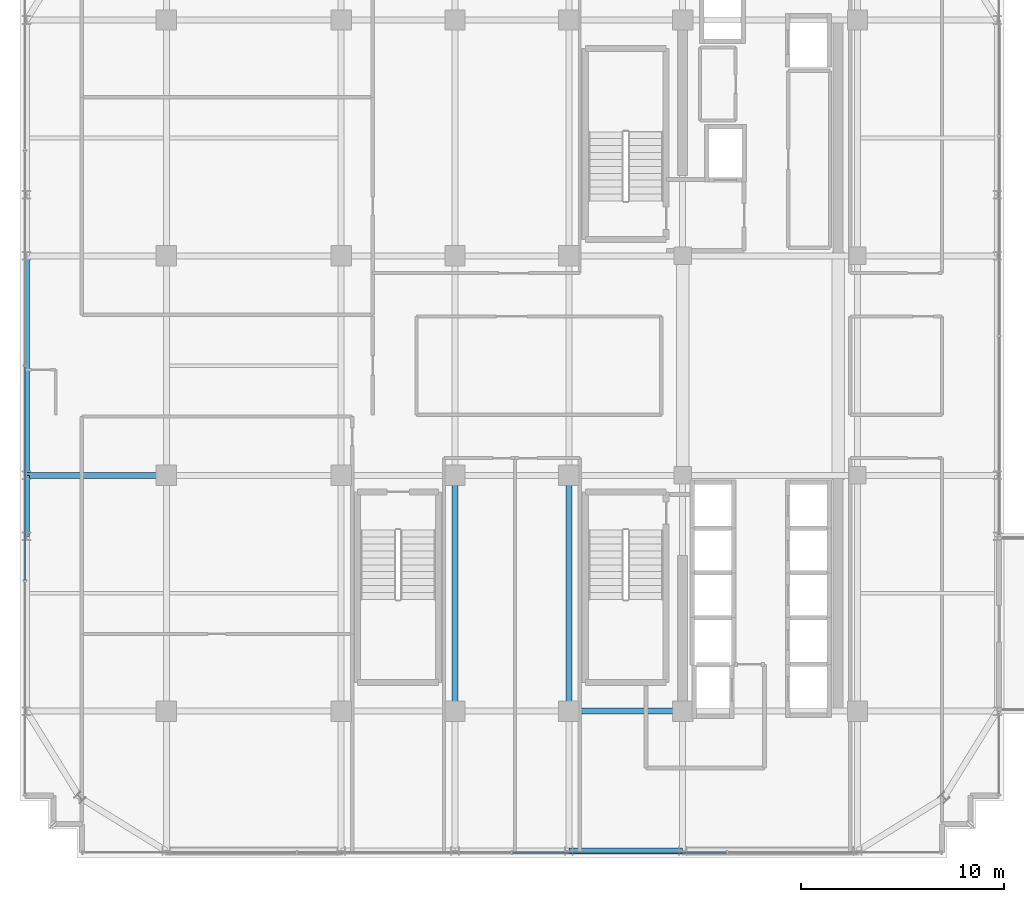
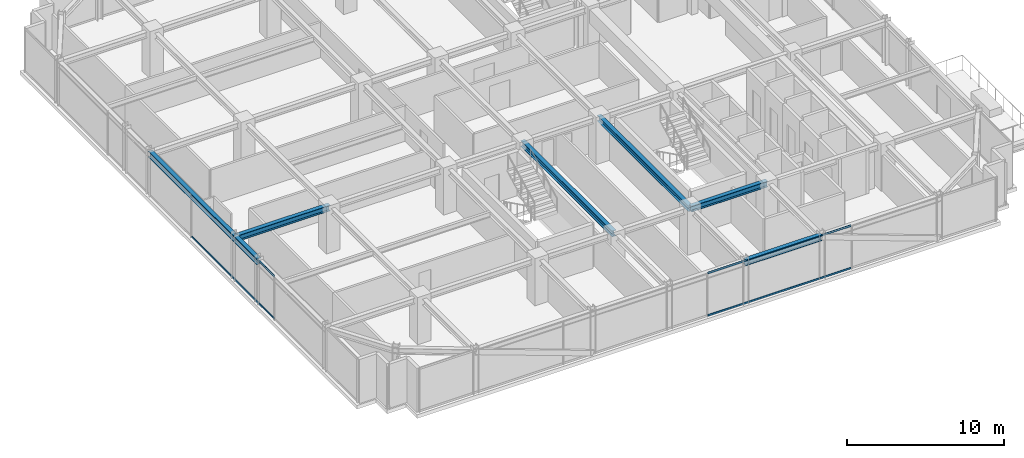
# One storey, part 9 of 42: 7 beams, 4 members, 2 elements without a shape of their own.
"""IFC4 building model written with IfcOpenShell, lengths in metres."""

from ifc_helpers import new_model, si_unit, direction, frame, origin, origin_2d, place, context, subcontext, project, spatial, hollow_rectangle, i_section, extrude, source, transform, mapped, material, material_profile, profile_set, type_object, element, aggregate, save


model = new_model("IFC4")

# Units and contexts
model_context = context("Model", 3, precision=1e-05, world=origin(), true_north=direction((0.0, 1.0)))
body_context = subcontext(model_context, "Body", "Model", "MODEL_VIEW")
ifc_project = project(units=[si_unit("LENGTHUNIT", "METRE"), si_unit("AREAUNIT", "SQUARE_METRE"), si_unit("VOLUMEUNIT", "CUBIC_METRE"), si_unit("PLANEANGLEUNIT", "RADIAN"), si_unit("MASSUNIT", "GRAM", prefix="KILO")], contexts=[model_context])

# Site, building, storey
site_placement = place(None, origin())
site = spatial("IfcSite", under=ifc_project, at=site_placement, CompositionType="ELEMENT")
building_placement = place(site_placement, origin())
building = spatial("IfcBuilding", under=site, at=building_placement, Name="Nahalor Promenade Grand Hotel", CompositionType="ELEMENT")
storey_placement = place(building_placement, frame((0.0, 0.0, 249.300048828125)))
storey = spatial("IfcBuildingStorey", under=building, at=storey_placement, Name="L64", CompositionType="ELEMENT", Elevation=249.300048828125)

# Beams
ifc_material_1 = material(Name="Steel S355JR", Category="steel")
ifc_material_profile_1 = material_profile(ifc_material_1, i_section(OverallWidth=0.3, OverallDepth=0.45, WebThickness=0.014, FlangeThickness=0.026, at=origin_2d()), Name="HEB 450")
ifc_profile_set_1 = profile_set([ifc_material_profile_1], Name="Steel S355JR")
beam_type_1 = type_object("IfcBeamType", Name="Beam-Spandrel-HEB450", PredefinedType="SPANDREL", material=ifc_profile_set_1)
shared_shape_1 = source(origin(), body_context, "Body", "SweptSolid", [
    extrude(i_section(OverallWidth=0.3, OverallDepth=0.45, WebThickness=0.014, FlangeThickness=0.026, at=origin_2d()), origin(), (0.0, 0.0, 1.0), 5.599853515625),
])
beam_1_placement = place(storey_placement, frame((2.800048828125, -23.8798828125, 3.18505859375), z_axis=(1.0, 0.0, 0.0), x_axis=(0.0, 1.0, 0.0)))
element("IfcBeam", 1, at=beam_1_placement, inside=storey, type_object=beam_type_1, Name="BM-L64-SP-S-3", PredefinedType="SPANDREL", context=body_context, shape_type="MappedRepresentation", body=[
    mapped(shared_shape_1, transform((0.0, 0.0, 0.0), scale=1.0)),
])
shared_shape_2 = source(origin(), body_context, "Body", "SweptSolid", [
    extrude(i_section(OverallWidth=0.3, OverallDepth=0.45, WebThickness=0.014, FlangeThickness=0.026, at=origin_2d()), origin(), (0.0, 0.0, 1.0), 3.0),
])
beam_2_placement = place(storey_placement, frame((-23.8798828125, -8.39990234375, 3.18505859375), z_axis=(0.0, 1.0, 0.0), x_axis=(-1.0, 0.0, 0.0)))
element("IfcBeam", 2, at=beam_2_placement, inside=storey, type_object=beam_type_1, Name="BM-L64-SP-W-1", PredefinedType="SPANDREL", context=body_context, shape_type="MappedRepresentation", body=[
    mapped(shared_shape_2, transform((0.0, 0.0, 0.0), scale=1.0)),
])
shared_shape_3 = source(origin(), body_context, "Body", "SweptSolid", [
    extrude(i_section(OverallWidth=0.3, OverallDepth=0.45, WebThickness=0.014, FlangeThickness=0.026, at=origin_2d()), origin(), (0.0, 0.0, 1.0), 10.7998046875),
])
beam_3_placement = place(storey_placement, frame((-23.8798828125, -5.39990234375, 3.18505859375), z_axis=(0.0, 1.0, 0.0), x_axis=(-1.0, 0.0, 0.0)))
element("IfcBeam", 3, at=beam_3_placement, inside=storey, type_object=beam_type_1, Name="BM-L64-SP-W-2", PredefinedType="SPANDREL", context=body_context, shape_type="MappedRepresentation", body=[
    mapped(shared_shape_3, transform((0.0, 0.0, 0.0), scale=1.0)),
])
ifc_material_profile_2 = material_profile(ifc_material_1, i_section(OverallWidth=0.3, OverallDepth=0.45, WebThickness=0.014, FlangeThickness=0.026, at=origin_2d()), Name="HEB 450")
ifc_profile_set_2 = profile_set([ifc_material_profile_2], Name="Steel S355JR")
beam_type_2 = type_object("IfcBeamType", Name="Beam-Girder-HEB450", PredefinedType="BEAM", material=ifc_profile_set_2)
shared_shape_4 = source(origin(), body_context, "Body", "SweptSolid", [
    extrude(i_section(OverallWidth=0.3, OverallDepth=0.45, WebThickness=0.014, FlangeThickness=0.026, at=origin_2d()), origin(), (0.0, 0.0, 1.0), 6.8798828125),
])
beam_4_placement = place(storey_placement, frame((-23.8798828125, -5.39990234375, 3.18505859375), z_axis=(1.0, 0.0, 0.0), x_axis=(0.0, 1.0, 0.0)))
element("IfcBeam", 4, at=beam_4_placement, inside=storey, type_object=beam_type_2, Name="BM-L64-GX-1-0", PredefinedType="BEAM", context=body_context, shape_type="MappedRepresentation", body=[
    mapped(shared_shape_4, transform((0.0, 0.0, 0.0), scale=1.0)),
])
shared_shape_5 = source(origin(), body_context, "Body", "SweptSolid", [
    extrude(i_section(OverallWidth=0.3, OverallDepth=0.45, WebThickness=0.014, FlangeThickness=0.026, at=origin_2d()), origin(), (0.0, 0.0, 1.0), 5.599853515625),
])
beam_5_placement = place(storey_placement, frame((2.800048828125, -17.0, 3.18505859375), z_axis=(1.0, 0.0, 0.0), x_axis=(0.0, 1.0, 0.0)))
element("IfcBeam", 5, at=beam_5_placement, inside=storey, type_object=beam_type_2, Name="BM-L64-GX-0-4", PredefinedType="BEAM", context=body_context, shape_type="MappedRepresentation", body=[
    mapped(shared_shape_5, transform((0.0, 0.0, 0.0), scale=1.0)),
])
shared_shape_6 = source(origin(), body_context, "Body", "SweptSolid", [
    extrude(i_section(OverallWidth=0.3, OverallDepth=0.45, WebThickness=0.014, FlangeThickness=0.026, at=origin_2d()), origin(), (0.0, 0.0, 1.0), 11.60009765625),
])
for number, where, z_axis, x_axis, name in (
    (6, (-2.800048828125, -17.0, 3.18505859375), (0.0, 1.0, 0.0), (-1.0, 0.0, 0.0), "BM-L64-GY-2-1"),
    (7, (2.800048828125, -17.0, 3.18505859375), (0.0, 1.0, 0.0), (-1.0, 0.0, 0.0), "BM-L64-GY-3-1"),
):
    element("IfcBeam", number, at=place(storey_placement, frame(where, z_axis=z_axis, x_axis=x_axis)), inside=storey, type_object=beam_type_2, Name=name, PredefinedType="BEAM", context=body_context, shape_type="MappedRepresentation", body=[
        mapped(shared_shape_6, transform((0.0, 0.0, 0.0), scale=1.0)),
    ])

# Curtain wall, members
ifc_material_2 = material(Name="Anodised Bronze Aluminium EN AW-6063 T6", Category="aluminium")
curtain_wall_type = type_object("IfcCurtainWallType", Name="CW2 Typical Hotel Flush Bronze Unitised Curtain Wall", PredefinedType="USERDEFINED", material=ifc_material_2)
curtain_wall_1_placement = place(storey_placement, origin())
curtain_wall_1 = element("IfcCurtainWall", 8, at=curtain_wall_1_placement, inside=storey, type_object=curtain_wall_type, Name="L64 Curtain Wall CW-L64-S-1", ObjectType="UNITISED_CURTAIN_WALL", PredefinedType="USERDEFINED")
ifc_material_profile_3 = material_profile(ifc_material_2, hollow_rectangle(XDim=0.065, YDim=0.13, WallThickness=0.004, at=origin_2d()), Name="CWT 65x130x4")
ifc_profile_set_3 = profile_set([ifc_material_profile_3], Name="Anodised Bronze Aluminium EN AW-6063 T6")
member_type = type_object("IfcMemberType", Name="CWT2 Typical Bronze Transom 65x130", PredefinedType="USERDEFINED", material=ifc_profile_set_3)
shared_shape_7 = source(origin(), body_context, "Body", "SweptSolid", [
    extrude(hollow_rectangle(XDim=0.065, YDim=0.13, WallThickness=0.004, at=origin_2d()), origin(), (0.0, 0.0, 1.0), 10.51513671875),
])
member_1_placement = place(storey_placement, frame((0.032470703125, -23.9599609375, 0.06494140625), z_axis=(1.0, 0.0, 0.0), x_axis=(0.0, 1.0, 0.0)))
member_1 = element("IfcMember", 9, at=member_1_placement, type_object=member_type, Name="CW-L64-S-1 Transom 2-0", ObjectType="TRANSOM", PredefinedType="USERDEFINED", context=body_context, shape_type="MappedRepresentation", body=[
    mapped(shared_shape_7, transform((0.0, 0.0, 0.0), scale=1.0)),
])
member_2_placement = place(storey_placement, frame((0.032470703125, -23.9599609375, 3.344970703125), z_axis=(1.0, 0.0, 0.0), x_axis=(0.0, 1.0, 0.0)))
member_2 = element("IfcMember", 10, at=member_2_placement, type_object=member_type, Name="CW-L64-S-1 Transom 2-1", ObjectType="TRANSOM", PredefinedType="USERDEFINED", context=body_context, shape_type="MappedRepresentation", body=[
    mapped(shared_shape_7, transform((0.0, 0.0, 0.0), scale=1.0)),
])
aggregate(curtain_wall_1, [member_1, member_2])

curtain_wall_2_placement = place(storey_placement, origin())
curtain_wall_2 = element("IfcCurtainWall", 11, at=curtain_wall_2_placement, inside=storey, type_object=curtain_wall_type, Name="L64 Curtain Wall CW-L64-W-1", ObjectType="UNITISED_CURTAIN_WALL", PredefinedType="USERDEFINED")
member_3_placement = place(storey_placement, frame((-23.9599609375, -10.547607421875, 0.06494140625), z_axis=(0.0, 1.0, 0.0), x_axis=(-1.0, 0.0, 0.0)))
member_3 = element("IfcMember", 12, at=member_3_placement, type_object=member_type, Name="CW-L64-W-1 Transom 1-0", ObjectType="TRANSOM", PredefinedType="USERDEFINED", context=body_context, shape_type="MappedRepresentation", body=[
    mapped(shared_shape_7, transform((0.0, 0.0, 0.0), scale=1.0)),
])
member_4_placement = place(storey_placement, frame((-23.9599609375, -10.547607421875, 3.344970703125), z_axis=(0.0, 1.0, 0.0), x_axis=(-1.0, 0.0, 0.0)))
member_4 = element("IfcMember", 13, at=member_4_placement, type_object=member_type, Name="CW-L64-W-1 Transom 1-1", ObjectType="TRANSOM", PredefinedType="USERDEFINED", context=body_context, shape_type="MappedRepresentation", body=[
    mapped(shared_shape_7, transform((0.0, 0.0, 0.0), scale=1.0)),
])
aggregate(curtain_wall_2, [member_3, member_4])

save(model, "model.ifc")
